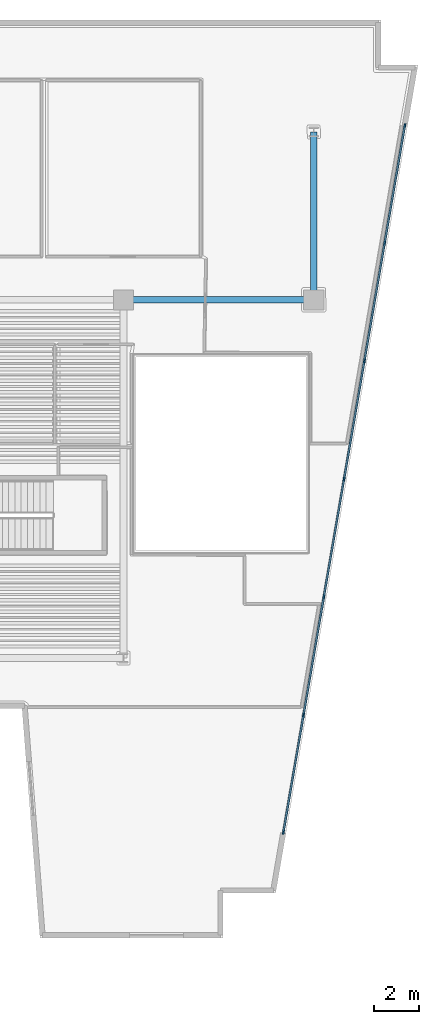
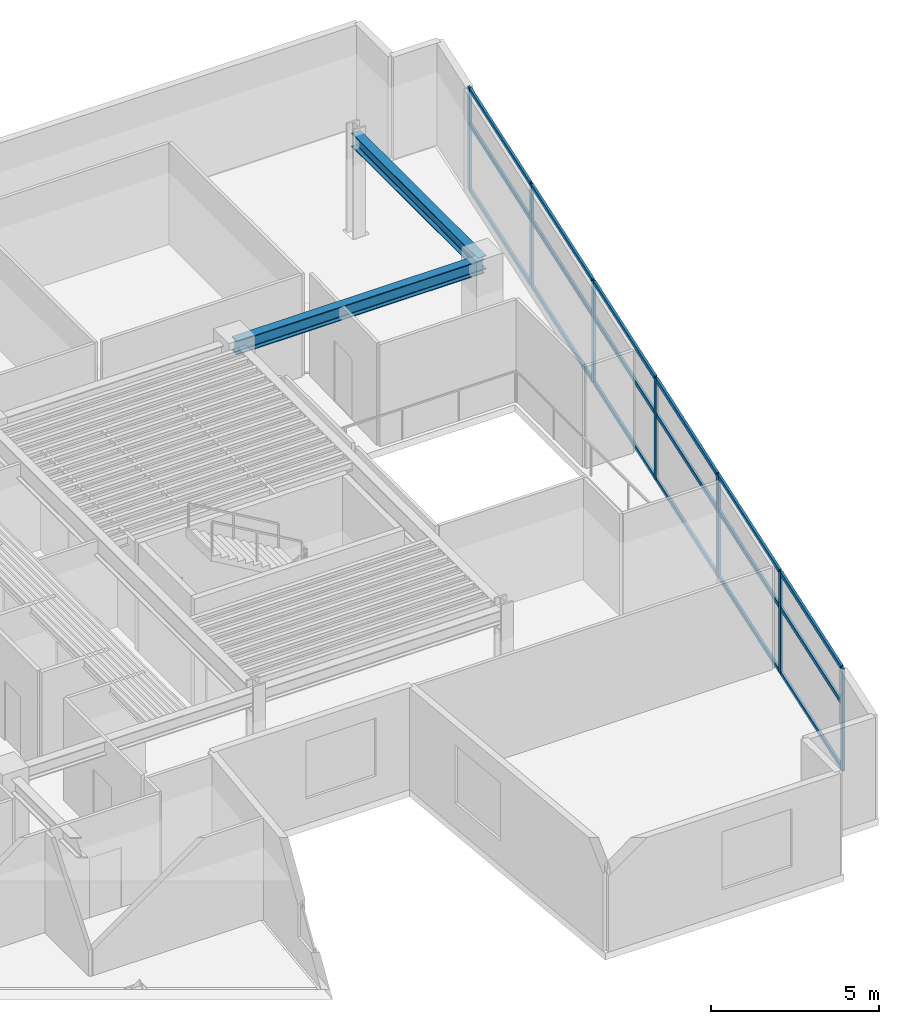
# One storey, part 2 of 9: 25 members, 2 beams, 1 element without a shape of its own.
"""IFC4 building model written with IfcOpenShell, lengths in metres."""

from ifc_helpers import new_model, si_unit, direction, frame, origin, origin_2d, place, context, subcontext, project, spatial, rectangle, i_section, extrude, material, layer, layer_set, material_profile, profile_set, type_object, element, aggregate, save


model = new_model("IFC4")

# Units and contexts
model_context = context("Model", 3, precision=1e-05, world=origin(), true_north=direction((0.0, 1.0)))
body_context = subcontext(model_context, "Body", "Model", "MODEL_VIEW")
ifc_project = project(units=[si_unit("LENGTHUNIT", "METRE"), si_unit("AREAUNIT", "SQUARE_METRE"), si_unit("VOLUMEUNIT", "CUBIC_METRE"), si_unit("PLANEANGLEUNIT", "RADIAN"), si_unit("MASSUNIT", "GRAM", prefix="KILO")], contexts=[model_context])

# Site, building, storey
site_placement = place(None, origin())
site = spatial("IfcSite", under=ifc_project, at=site_placement, CompositionType="ELEMENT")
building_placement = place(site_placement, origin())
building = spatial("IfcBuilding", under=site, at=building_placement, Name="Caeloran Harvest Quay", CompositionType="ELEMENT")
storey_placement = place(building_placement, frame((0.0, 0.0, 227.199951171875)))
storey = spatial("IfcBuildingStorey", under=building, at=storey_placement, Name="L54", CompositionType="ELEMENT", Elevation=227.199951171875)

# Beams
ifc_material_1 = material(Name="Steel S355J2", Category="steel")
ifc_material_profile_1 = material_profile(ifc_material_1, i_section(OverallWidth=0.300048828125, OverallDepth=0.5, WebThickness=0.014404296875, FlangeThickness=0.028076171875, FilletRadius=0.027099609375, at=origin_2d()), Name="HE 500 B")
ifc_profile_set_1 = profile_set([ifc_material_profile_1], Name="Steel S355J2")
beam_type = type_object("IfcBeamType", Name="BM-PG-4-HE_500_B", PredefinedType="BEAM", material=ifc_profile_set_1)
beam_1_placement = place(storey_placement, frame((34.0, 31.0, 3.449951171875), z_axis=(1.0, 0.0, 0.0), x_axis=(0.0, 1.0, 0.0)))
element("IfcBeam", 1, at=beam_1_placement, inside=storey, type_object=beam_type, Name="L54 Primary East-West Girder Y=31.0", PredefinedType="BEAM", context=body_context, shape_type="SweptSolid", body=[
    extrude(i_section(OverallWidth=0.300048828125, OverallDepth=0.5, WebThickness=0.014404296875, FlangeThickness=0.028076171875, FilletRadius=0.027099609375, at=origin_2d()), origin(), (0.0, 0.0, 1.0), 8.5),
])
beam_2_placement = place(storey_placement, frame((42.5, 31.0, 3.449951171875), z_axis=(0.0, 1.0, 0.0), x_axis=(-1.0, 0.0, 0.0)))
element("IfcBeam", 2, at=beam_2_placement, inside=storey, type_object=beam_type, Name="L54 Primary North-South Girder X=42.5", PredefinedType="BEAM", context=body_context, shape_type="SweptSolid", body=[
    extrude(i_section(OverallWidth=0.300048828125, OverallDepth=0.5, WebThickness=0.014404296875, FlangeThickness=0.028076171875, FilletRadius=0.027099609375, at=origin_2d()), origin(), (0.0, 0.0, 1.0), 7.5),
])

# Curtain wall, members
ifc_material_2 = material(Name="Aluminium 6063-T6 and Low-E Glazing", Category="aluminium")
ifc_layer = layer(ifc_material_2, 0.2099609375, Name="Aluminium 6063-T6 and Low-E Glazing")
ifc_layer_set = layer_set([ifc_layer], Name="Aluminium 6063-T6 and Low-E Glazing")
curtain_wall_type = type_object("IfcCurtainWallType", Name="CW-SYS-CW-4", PredefinedType="USERDEFINED", material=ifc_layer_set)
curtain_wall_placement = place(storey_placement, origin())
curtain_wall = element("IfcCurtainWall", 3, at=curtain_wall_placement, inside=storey, type_object=curtain_wall_type, Name="L54 Unitised Curtain Wall CW-4 Run 9", ObjectType="CURTAIN_WALL", PredefinedType="USERDEFINED")
ifc_material_3 = material(Name="Aluminium 6063-T6", Category="aluminium")
ifc_material_profile_2 = material_profile(ifc_material_3, rectangle(XDim=0.080078125, YDim=0.179931640625, at=origin_2d()), Name="CW-MULLION-180")
ifc_profile_set_2 = profile_set([ifc_material_profile_2], Name="Aluminium 6063-T6")
member_type_1 = type_object("IfcMemberType", Name="CW-MULLION-180", PredefinedType="MULLION", material=ifc_profile_set_2)
member_1_placement = place(storey_placement, frame((46.566650390625, 38.778076171875, 0.0), z_axis=(0.0, 0.0, 1.0), x_axis=(0.985548890759, -0.169391215605, 0.0)))
member_1 = element("IfcMember", 4, at=member_1_placement, type_object=member_type_1, Name="CW-4 mullion 1", PredefinedType="MULLION", context=body_context, shape_type="SweptSolid", body=[
    extrude(rectangle(XDim=0.080078125, YDim=0.179931640625, at=origin_2d()), origin(), (0.0, 0.0, 1.0), 3.699951171875),
])
member_2_placement = place(storey_placement, frame((45.667236328125, 33.545166015625, 0.0), z_axis=(0.0, 0.0, 1.0), x_axis=(0.985548890759, -0.169391215605, 0.0)))
member_2 = element("IfcMember", 5, at=member_2_placement, type_object=member_type_1, Name="CW-4 mullion 2", PredefinedType="MULLION", context=body_context, shape_type="SweptSolid", body=[
    extrude(rectangle(XDim=0.080078125, YDim=0.179931640625, at=origin_2d()), origin(), (0.0, 0.0, 1.0), 3.699951171875),
])
member_3_placement = place(storey_placement, frame((44.760986328125, 28.2724609375, 0.0), z_axis=(0.0, 0.0, 1.0), x_axis=(0.985548890759, -0.169391215605, 0.0)))
member_3 = element("IfcMember", 6, at=member_3_placement, type_object=member_type_1, Name="CW-4 mullion 3", PredefinedType="MULLION", context=body_context, shape_type="SweptSolid", body=[
    extrude(rectangle(XDim=0.080078125, YDim=0.179931640625, at=origin_2d()), origin(), (0.0, 0.0, 1.0), 3.699951171875),
])
member_4_placement = place(storey_placement, frame((43.854736328125, 23.0, 0.0), z_axis=(0.0, 0.0, 1.0), x_axis=(0.985548890759, -0.169391215605, 0.0)))
member_4 = element("IfcMember", 7, at=member_4_placement, type_object=member_type_1, Name="CW-4 mullion 4", PredefinedType="MULLION", context=body_context, shape_type="SweptSolid", body=[
    extrude(rectangle(XDim=0.080078125, YDim=0.179931640625, at=origin_2d()), origin(), (0.0, 0.0, 1.0), 3.699951171875),
])
member_5_placement = place(storey_placement, frame((42.948486328125, 17.7275390625, 0.0), z_axis=(0.0, 0.0, 1.0), x_axis=(0.985548890759, -0.169391215605, 0.0)))
member_5 = element("IfcMember", 8, at=member_5_placement, type_object=member_type_1, Name="CW-4 mullion 5", PredefinedType="MULLION", context=body_context, shape_type="SweptSolid", body=[
    extrude(rectangle(XDim=0.080078125, YDim=0.179931640625, at=origin_2d()), origin(), (0.0, 0.0, 1.0), 3.699951171875),
])
member_6_placement = place(storey_placement, frame((42.042236328125, 12.454833984375, 0.0), z_axis=(0.0, 0.0, 1.0), x_axis=(0.985548890759, -0.169391215605, 0.0)))
member_6 = element("IfcMember", 9, at=member_6_placement, type_object=member_type_1, Name="CW-4 mullion 6", PredefinedType="MULLION", context=body_context, shape_type="SweptSolid", body=[
    extrude(rectangle(XDim=0.080078125, YDim=0.179931640625, at=origin_2d()), origin(), (0.0, 0.0, 1.0), 3.699951171875),
])
member_7_placement = place(storey_placement, frame((41.142822265625, 7.221923828125, 0.0), z_axis=(0.0, 0.0, 1.0), x_axis=(0.985548890759, -0.169391215605, 0.0)))
member_7 = element("IfcMember", 10, at=member_7_placement, type_object=member_type_1, Name="CW-4 mullion 7", PredefinedType="MULLION", context=body_context, shape_type="SweptSolid", body=[
    extrude(rectangle(XDim=0.080078125, YDim=0.179931640625, at=origin_2d()), origin(), (0.0, 0.0, 1.0), 3.699951171875),
])
ifc_material_profile_3 = material_profile(ifc_material_3, rectangle(XDim=0.080078125, YDim=0.14990234375, at=origin_2d()), Name="CW-TRANSOM-150")
ifc_profile_set_3 = profile_set([ifc_material_profile_3], Name="Aluminium 6063-T6")
member_type_2 = type_object("IfcMemberType", Name="CW-TRANSOM-150", PredefinedType="USERDEFINED", material=ifc_profile_set_3)
member_8_placement = place(storey_placement, frame((46.559814453125, 38.73876953125, 0.0400390625), z_axis=(-0.169362876348, -0.985553761149, 0.0), x_axis=(0.985553761149, -0.169362876348, 0.0)))
member_8 = element("IfcMember", 11, at=member_8_placement, type_object=member_type_2, Name="CW-4 transom 1.1", ObjectType="TRANSOM", PredefinedType="USERDEFINED", context=body_context, shape_type="SweptSolid", body=[
    extrude(rectangle(XDim=0.080078125, YDim=0.14990234375, at=origin_2d()), origin(), (0.0, 0.0, 1.0), 5.229736328125),
])
member_9_placement = place(storey_placement, frame((46.559814453125, 38.73876953125, 2.400146484375), z_axis=(-0.169362876348, -0.985553761149, 0.0), x_axis=(0.985553761149, -0.169362876348, 0.0)))
member_9 = element("IfcMember", 12, at=member_9_placement, type_object=member_type_2, Name="CW-4 transom 1.2", ObjectType="TRANSOM", PredefinedType="USERDEFINED", context=body_context, shape_type="SweptSolid", body=[
    extrude(rectangle(XDim=0.080078125, YDim=0.14990234375, at=origin_2d()), origin(), (0.0, 0.0, 1.0), 5.229736328125),
])
member_10_placement = place(storey_placement, frame((46.559814453125, 38.73876953125, 3.66015625), z_axis=(-0.169362876348, -0.985553761149, 0.0), x_axis=(0.985553761149, -0.169362876348, 0.0)))
member_10 = element("IfcMember", 13, at=member_10_placement, type_object=member_type_2, Name="CW-4 transom 1.3", ObjectType="TRANSOM", PredefinedType="USERDEFINED", context=body_context, shape_type="SweptSolid", body=[
    extrude(rectangle(XDim=0.080078125, YDim=0.14990234375, at=origin_2d()), origin(), (0.0, 0.0, 1.0), 5.229736328125),
])
member_11_placement = place(storey_placement, frame((45.660400390625, 33.505615234375, 0.0400390625), z_axis=(-0.169377856385, -0.985551186782, 0.0), x_axis=(0.985551186782, -0.169377856385, 0.0)))
member_11 = element("IfcMember", 14, at=member_11_placement, type_object=member_type_2, Name="CW-4 transom 2.1", ObjectType="TRANSOM", PredefinedType="USERDEFINED", context=body_context, shape_type="SweptSolid", body=[
    extrude(rectangle(XDim=0.080078125, YDim=0.14990234375, at=origin_2d()), origin(), (0.0, 0.0, 1.0), 5.269775390625),
])
member_12_placement = place(storey_placement, frame((45.660400390625, 33.505615234375, 2.400146484375), z_axis=(-0.169377856385, -0.985551186782, 0.0), x_axis=(0.985551186782, -0.169377856385, 0.0)))
member_12 = element("IfcMember", 15, at=member_12_placement, type_object=member_type_2, Name="CW-4 transom 2.2", ObjectType="TRANSOM", PredefinedType="USERDEFINED", context=body_context, shape_type="SweptSolid", body=[
    extrude(rectangle(XDim=0.080078125, YDim=0.14990234375, at=origin_2d()), origin(), (0.0, 0.0, 1.0), 5.269775390625),
])
member_13_placement = place(storey_placement, frame((45.660400390625, 33.505615234375, 3.66015625), z_axis=(-0.169377856385, -0.985551186782, 0.0), x_axis=(0.985551186782, -0.169377856385, 0.0)))
member_13 = element("IfcMember", 16, at=member_13_placement, type_object=member_type_2, Name="CW-4 transom 2.3", ObjectType="TRANSOM", PredefinedType="USERDEFINED", context=body_context, shape_type="SweptSolid", body=[
    extrude(rectangle(XDim=0.080078125, YDim=0.14990234375, at=origin_2d()), origin(), (0.0, 0.0, 1.0), 5.269775390625),
])
member_14_placement = place(storey_placement, frame((44.754150390625, 28.233154296875, 0.0400390625), z_axis=(-0.169370123052, -0.985552515809, 0.0), x_axis=(0.985552515809, -0.169370123052, 0.0)))
member_14 = element("IfcMember", 17, at=member_14_placement, type_object=member_type_2, Name="CW-4 transom 3.1", ObjectType="TRANSOM", PredefinedType="USERDEFINED", context=body_context, shape_type="SweptSolid", body=[
    extrude(rectangle(XDim=0.080078125, YDim=0.14990234375, at=origin_2d()), origin(), (0.0, 0.0, 1.0), 5.27001953125),
])
member_15_placement = place(storey_placement, frame((44.754150390625, 28.233154296875, 2.400146484375), z_axis=(-0.169370123052, -0.985552515809, 0.0), x_axis=(0.985552515809, -0.169370123052, 0.0)))
member_15 = element("IfcMember", 18, at=member_15_placement, type_object=member_type_2, Name="CW-4 transom 3.2", ObjectType="TRANSOM", PredefinedType="USERDEFINED", context=body_context, shape_type="SweptSolid", body=[
    extrude(rectangle(XDim=0.080078125, YDim=0.14990234375, at=origin_2d()), origin(), (0.0, 0.0, 1.0), 5.27001953125),
])
member_16_placement = place(storey_placement, frame((44.754150390625, 28.233154296875, 3.66015625), z_axis=(-0.169370123052, -0.985552515809, 0.0), x_axis=(0.985552515809, -0.169370123052, 0.0)))
member_16 = element("IfcMember", 19, at=member_16_placement, type_object=member_type_2, Name="CW-4 transom 3.3", ObjectType="TRANSOM", PredefinedType="USERDEFINED", context=body_context, shape_type="SweptSolid", body=[
    extrude(rectangle(XDim=0.080078125, YDim=0.14990234375, at=origin_2d()), origin(), (0.0, 0.0, 1.0), 5.27001953125),
])
member_17_placement = place(storey_placement, frame((43.847900390625, 22.960693359375, 0.0400390625), z_axis=(-0.169370123052, -0.985552515809, 0.0), x_axis=(0.985552515809, -0.169370123052, 0.0)))
member_17 = element("IfcMember", 20, at=member_17_placement, type_object=member_type_2, Name="CW-4 transom 4.1", ObjectType="TRANSOM", PredefinedType="USERDEFINED", context=body_context, shape_type="SweptSolid", body=[
    extrude(rectangle(XDim=0.080078125, YDim=0.14990234375, at=origin_2d()), origin(), (0.0, 0.0, 1.0), 5.27001953125),
])
member_18_placement = place(storey_placement, frame((43.847900390625, 22.960693359375, 2.400146484375), z_axis=(-0.169370123052, -0.985552515809, 0.0), x_axis=(0.985552515809, -0.169370123052, 0.0)))
member_18 = element("IfcMember", 21, at=member_18_placement, type_object=member_type_2, Name="CW-4 transom 4.2", ObjectType="TRANSOM", PredefinedType="USERDEFINED", context=body_context, shape_type="SweptSolid", body=[
    extrude(rectangle(XDim=0.080078125, YDim=0.14990234375, at=origin_2d()), origin(), (0.0, 0.0, 1.0), 5.27001953125),
])
member_19_placement = place(storey_placement, frame((43.847900390625, 22.960693359375, 3.66015625), z_axis=(-0.169370123052, -0.985552515809, 0.0), x_axis=(0.985552515809, -0.169370123052, 0.0)))
member_19 = element("IfcMember", 22, at=member_19_placement, type_object=member_type_2, Name="CW-4 transom 4.3", ObjectType="TRANSOM", PredefinedType="USERDEFINED", context=body_context, shape_type="SweptSolid", body=[
    extrude(rectangle(XDim=0.080078125, YDim=0.14990234375, at=origin_2d()), origin(), (0.0, 0.0, 1.0), 5.27001953125),
])
member_20_placement = place(storey_placement, frame((42.941650390625, 17.68798828125, 0.0400390625), z_axis=(-0.169377856385, -0.985551186782, 0.0), x_axis=(0.985551186782, -0.169377856385, 0.0)))
member_20 = element("IfcMember", 23, at=member_20_placement, type_object=member_type_2, Name="CW-4 transom 5.1", ObjectType="TRANSOM", PredefinedType="USERDEFINED", context=body_context, shape_type="SweptSolid", body=[
    extrude(rectangle(XDim=0.080078125, YDim=0.14990234375, at=origin_2d()), origin(), (0.0, 0.0, 1.0), 5.269775390625),
])
member_21_placement = place(storey_placement, frame((42.941650390625, 17.68798828125, 2.400146484375), z_axis=(-0.169377856385, -0.985551186782, 0.0), x_axis=(0.985551186782, -0.169377856385, 0.0)))
member_21 = element("IfcMember", 24, at=member_21_placement, type_object=member_type_2, Name="CW-4 transom 5.2", ObjectType="TRANSOM", PredefinedType="USERDEFINED", context=body_context, shape_type="SweptSolid", body=[
    extrude(rectangle(XDim=0.080078125, YDim=0.14990234375, at=origin_2d()), origin(), (0.0, 0.0, 1.0), 5.269775390625),
])
member_22_placement = place(storey_placement, frame((42.941650390625, 17.68798828125, 3.66015625), z_axis=(-0.169377856385, -0.985551186782, 0.0), x_axis=(0.985551186782, -0.169377856385, 0.0)))
member_22 = element("IfcMember", 25, at=member_22_placement, type_object=member_type_2, Name="CW-4 transom 5.3", ObjectType="TRANSOM", PredefinedType="USERDEFINED", context=body_context, shape_type="SweptSolid", body=[
    extrude(rectangle(XDim=0.080078125, YDim=0.14990234375, at=origin_2d()), origin(), (0.0, 0.0, 1.0), 5.269775390625),
])
member_23_placement = place(storey_placement, frame((42.03564453125, 12.41552734375, 0.0400390625), z_axis=(-0.169408218949, -0.985545968158, 0.0), x_axis=(0.985545968158, -0.169408218949, 0.0)))
member_23 = element("IfcMember", 26, at=member_23_placement, type_object=member_type_2, Name="CW-4 transom 6.1", ObjectType="TRANSOM", PredefinedType="USERDEFINED", context=body_context, shape_type="SweptSolid", body=[
    extrude(rectangle(XDim=0.080078125, YDim=0.14990234375, at=origin_2d()), origin(), (0.0, 0.0, 1.0), 5.22998046875),
])
member_24_placement = place(storey_placement, frame((42.03564453125, 12.41552734375, 2.400146484375), z_axis=(-0.169408218949, -0.985545968158, 0.0), x_axis=(0.985545968158, -0.169408218949, 0.0)))
member_24 = element("IfcMember", 27, at=member_24_placement, type_object=member_type_2, Name="CW-4 transom 6.2", ObjectType="TRANSOM", PredefinedType="USERDEFINED", context=body_context, shape_type="SweptSolid", body=[
    extrude(rectangle(XDim=0.080078125, YDim=0.14990234375, at=origin_2d()), origin(), (0.0, 0.0, 1.0), 5.22998046875),
])
member_25_placement = place(storey_placement, frame((42.03564453125, 12.41552734375, 3.66015625), z_axis=(-0.169408218949, -0.985545968158, 0.0), x_axis=(0.985545968158, -0.169408218949, 0.0)))
member_25 = element("IfcMember", 28, at=member_25_placement, type_object=member_type_2, Name="CW-4 transom 6.3", ObjectType="TRANSOM", PredefinedType="USERDEFINED", context=body_context, shape_type="SweptSolid", body=[
    extrude(rectangle(XDim=0.080078125, YDim=0.14990234375, at=origin_2d()), origin(), (0.0, 0.0, 1.0), 5.22998046875),
])
aggregate(curtain_wall, [member_1, member_2, member_3, member_4, member_5, member_6, member_7, member_8, member_9, member_10, member_11, member_12, member_13, member_14, member_15, member_16, member_17, member_18, member_19, member_20, member_21, member_22, member_23, member_24, member_25])

save(model, "model.ifc")
